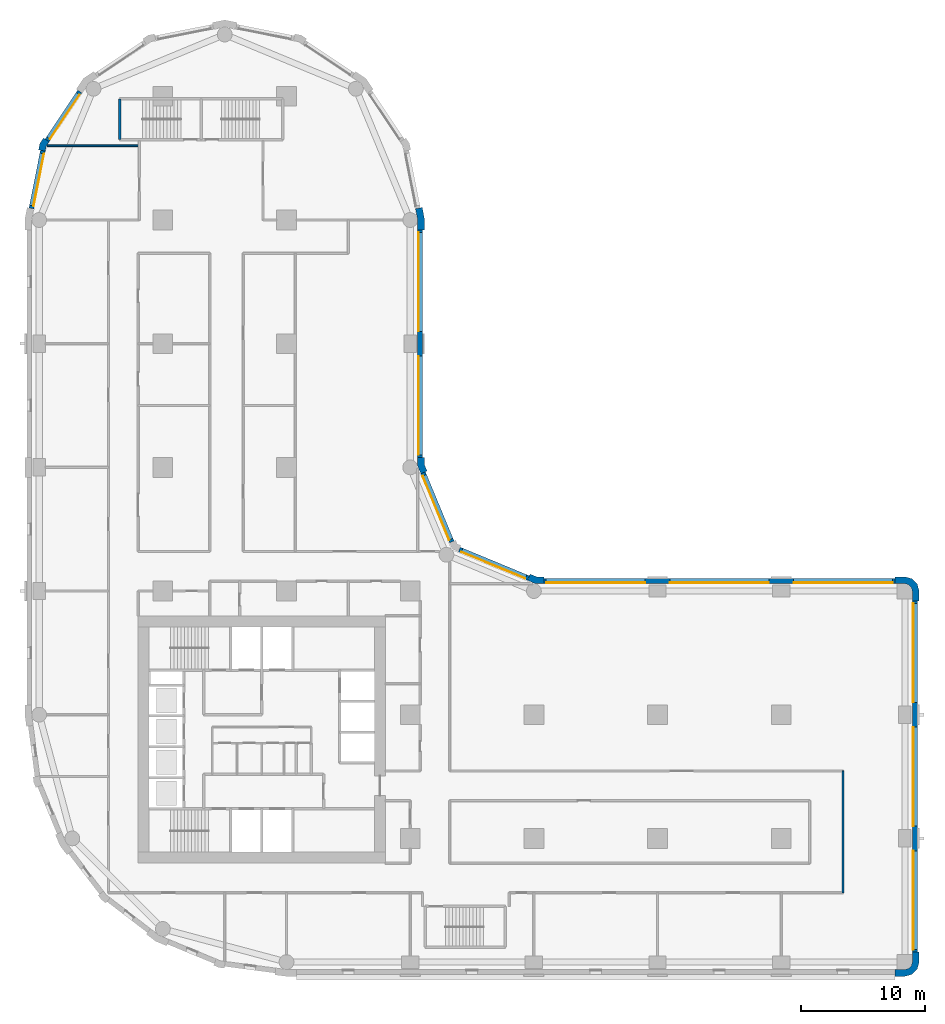
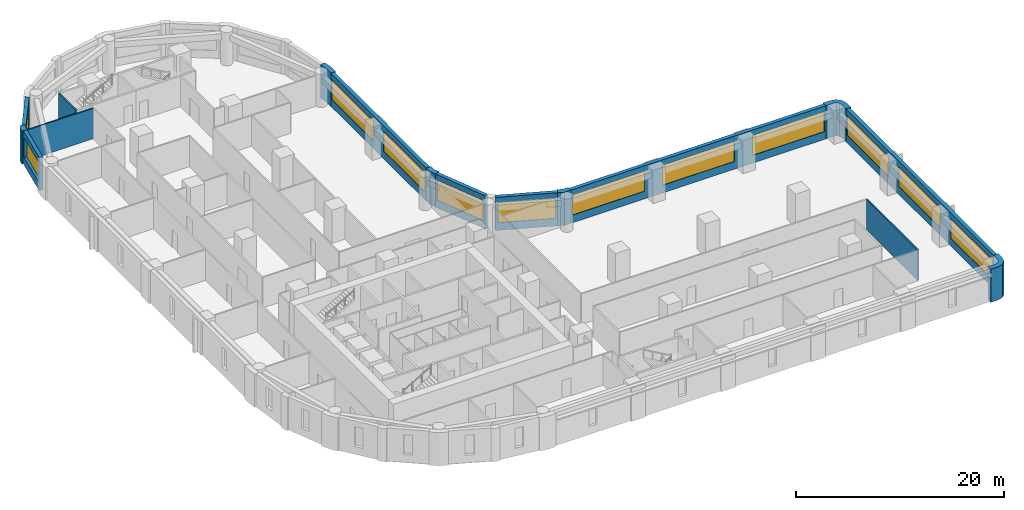
# One storey, part 6 of 10: 16 walls, 12 windows, 12 openings.
"""IFC4 building model written with IfcOpenShell, lengths in metres."""

from ifc_helpers import new_model, si_unit, direction, frame, frame_2d, origin, place, context, subcontext, project, spatial, polyline, rectangle, outline, extrude, material, layer, layer_set, type_object, element, fill, save


model = new_model("IFC4")

# Units and contexts
model_context = context("Model", 3, precision=1e-05, world=origin(), true_north=direction((0.0, 1.0)))
body_context = subcontext(model_context, "Body", "Model", "MODEL_VIEW")
ifc_project = project(units=[si_unit("LENGTHUNIT", "METRE"), si_unit("AREAUNIT", "SQUARE_METRE"), si_unit("VOLUMEUNIT", "CUBIC_METRE"), si_unit("PLANEANGLEUNIT", "RADIAN"), si_unit("MASSUNIT", "GRAM", prefix="KILO")], contexts=[model_context])

# Site, building, storey
site_placement = place(None, origin())
site = spatial("IfcSite", under=ifc_project, at=site_placement, CompositionType="ELEMENT")
building_placement = place(site_placement, origin())
building = spatial("IfcBuilding", under=site, at=building_placement, Name="Qaws Garden Tower", CompositionType="ELEMENT")
storey_placement = place(building_placement, frame((0.0, 0.0, 97.800048828125)))
storey = spatial("IfcBuildingStorey", under=building, at=storey_placement, Name="L24", CompositionType="ELEMENT", Elevation=97.800048828125)

# Walls
ifc_material_1 = material(Name="Clay facing brick masonry", Category="masonry")
ifc_layer_1 = layer(ifc_material_1, 0.550048828125)
ifc_layer_set_1 = layer_set([ifc_layer_1], Name="Clay facing brick masonry")
wall_type_1 = type_object("IfcWallType", Name="Brick corner pier 550 x 2400", PredefinedType="SOLIDWALL", material=ifc_layer_set_1)
placement = place(storey_placement, origin())
element("IfcWall", 1, at=placement, inside=storey, type_object=wall_type_1, Name="E-L24-pier-05", PredefinedType="SOLIDWALL", context=body_context, shape_type="SweptSolid", body=[
    extrude(outline(polyline([(69.199951171875, -1.0), (69.199951171875, -1.14990234375), (70.0, -1.14990234375), (70.574951171875, -0.995849609375), (70.995849609375, -0.574951171875), (71.14990234375, 0.0), (71.14990234375, 0.800048828125), (71.0, 0.800048828125), (70.60009765625, 0.800048828125), (70.60009765625, 0.0), (70.51953125, -0.300048828125), (70.300048828125, -0.51953125), (70.0, -0.60009765625), (69.199951171875, -0.60009765625), (69.199951171875, -1.0)])), origin(), (0.0, 0.0, 1.0), 3.89990234375),
])
element("IfcWall", 2, at=placement, inside=storey, type_object=wall_type_1, Name="E-L24-pier-08", PredefinedType="SOLIDWALL", context=body_context, shape_type="SweptSolid", body=[
    extrude(outline(polyline([(71.0, 29.199951171875), (71.14990234375, 29.199951171875), (71.14990234375, 30.0), (70.995849609375, 30.574951171875), (70.574951171875, 30.995849609375), (70.0, 31.14990234375), (69.199951171875, 31.14990234375), (69.199951171875, 31.0), (69.199951171875, 30.60009765625), (70.0, 30.60009765625), (70.300048828125, 30.51953125), (70.51953125, 30.300048828125), (70.60009765625, 30.0), (70.60009765625, 29.199951171875), (71.0, 29.199951171875)])), origin(), (0.0, 0.0, 1.0), 3.89990234375),
])

# Wall, openings, windows
ifc_material_2 = material(Name="Clay facing brick masonry", Category="masonry")
ifc_layer_2 = layer(ifc_material_2, 0.39990234375)
ifc_layer_set_2 = layer_set([ifc_layer_2], Name="Clay facing brick masonry")
wall_type_2 = type_object("IfcWallType", Name="Brick infill wall 400", PredefinedType="SOLIDWALL", material=ifc_layer_set_2)
wall_3_placement = place(storey_placement, frame((70.800048828125, 0.800048828125, 0.0), z_axis=(0.0, 0.0, 1.0), x_axis=(0.0, 1.0, 0.0)))
wall_3 = element("IfcWall", 3, at=wall_3_placement, inside=storey, type_object=wall_type_2, Name="E-L24-infill-05", PredefinedType="SOLIDWALL", context=body_context, shape_type="SweptSolid", body=[
    extrude(rectangle(XDim=28.39990234375, YDim=0.39990234375, at=frame_2d((14.199951171875, 0.0))), origin(), (0.0, 0.0, 1.0), 3.89990234375),
])
opening_1_placement = place(wall_3_placement, frame((0.199951171875, 0.0, 0.89990234375)))
opening_1 = element("IfcOpeningElement", 4, at=opening_1_placement, cuts=wall_3, Name="Opening W01", PredefinedType="OPENING", context=body_context, shape_type="SweptSolid", body=[
    extrude(rectangle(XDim=8.0, YDim=2.35009765625, at=frame_2d((4.0, 1.175048828125))), frame((0.0, 0.2099609375, 0.0), z_axis=(0.0, -1.0, 0.0), x_axis=(1.0, 0.0, 0.0)), (0.0, 0.0, 1.0), 0.419921875),
])
opening_2_placement = place(wall_3_placement, frame((10.199951171875, 0.0, 0.89990234375)))
opening_2 = element("IfcOpeningElement", 5, at=opening_2_placement, cuts=wall_3, Name="Opening W01", PredefinedType="OPENING", context=body_context, shape_type="SweptSolid", body=[
    extrude(rectangle(XDim=8.0, YDim=2.35009765625, at=frame_2d((4.0, 1.175048828125))), frame((0.0, 0.2099609375, 0.0), z_axis=(0.0, -1.0, 0.0), x_axis=(1.0, 0.0, 0.0)), (0.0, 0.0, 1.0), 0.419921875),
])
opening_3_placement = place(wall_3_placement, frame((20.199951171875, 0.0, 0.89990234375)))
opening_3 = element("IfcOpeningElement", 6, at=opening_3_placement, cuts=wall_3, Name="Opening W01", PredefinedType="OPENING", context=body_context, shape_type="SweptSolid", body=[
    extrude(rectangle(XDim=8.0, YDim=2.35009765625, at=frame_2d((4.0, 1.175048828125))), frame((0.0, 0.2099609375, 0.0), z_axis=(0.0, -1.0, 0.0), x_axis=(1.0, 0.0, 0.0)), (0.0, 0.0, 1.0), 0.419921875),
])
ifc_material_3 = material(Name="Aluminium framed window, clear glazing", Category="aluminium")
window_type_1 = type_object("IfcWindowType", Name="Ribbon window 8000 x 2350", PartitioningType="DOUBLE_PANEL_VERTICAL", PredefinedType="WINDOW", material=ifc_material_3)
window_1_placement = place(opening_1_placement, origin())
window_1 = element("IfcWindow", 7, at=window_1_placement, inside=storey, type_object=window_type_1, Name="E-L24-window-05-0", OverallHeight=2.35009765625, OverallWidth=8.0, PartitioningType="SINGLE_PANEL", PredefinedType="WINDOW", context=body_context, shape_type="SweptSolid", body=[
    extrude(rectangle(XDim=8.0, YDim=2.35009765625, at=frame_2d((4.0, 1.175048828125))), frame((0.0, 0.159912109375, 0.0), z_axis=(0.0, -1.0, 0.0), x_axis=(1.0, 0.0, 0.0)), (0.0, 0.0, 1.0), 0.06005859375),
])
fill(opening_1, window_1)
window_2_placement = place(opening_2_placement, origin())
window_2 = element("IfcWindow", 8, at=window_2_placement, inside=storey, type_object=window_type_1, Name="E-L24-window-06-0", OverallHeight=2.35009765625, OverallWidth=8.0, PartitioningType="SINGLE_PANEL", PredefinedType="WINDOW", context=body_context, shape_type="SweptSolid", body=[
    extrude(rectangle(XDim=8.0, YDim=2.35009765625, at=frame_2d((4.0, 1.175048828125))), frame((0.0, 0.159912109375, 0.0), z_axis=(0.0, -1.0, 0.0), x_axis=(1.0, 0.0, 0.0)), (0.0, 0.0, 1.0), 0.06005859375),
])
fill(opening_2, window_2)
window_3_placement = place(opening_3_placement, origin())
window_3 = element("IfcWindow", 9, at=window_3_placement, inside=storey, type_object=window_type_1, Name="E-L24-window-07-0", OverallHeight=2.35009765625, OverallWidth=8.0, PartitioningType="SINGLE_PANEL", PredefinedType="WINDOW", context=body_context, shape_type="SweptSolid", body=[
    extrude(rectangle(XDim=8.0, YDim=2.35009765625, at=frame_2d((4.0, 1.175048828125))), frame((0.0, 0.159912109375, 0.0), z_axis=(0.0, -1.0, 0.0), x_axis=(1.0, 0.0, 0.0)), (0.0, 0.0, 1.0), 0.06005859375),
])
fill(opening_3, window_3)

wall_4_placement = place(storey_placement, frame((69.199951171875, 30.800048828125, 0.0), z_axis=(0.0, 0.0, 1.0), x_axis=(-1.0, 0.0, 0.0)))
wall_4 = element("IfcWall", 10, at=wall_4_placement, inside=storey, type_object=wall_type_2, Name="E-L24-infill-08", PredefinedType="SOLIDWALL", context=body_context, shape_type="SweptSolid", body=[
    extrude(rectangle(XDim=28.39990234375, YDim=0.39990234375, at=frame_2d((14.199951171875, 0.0))), origin(), (0.0, 0.0, 1.0), 3.89990234375),
])
opening_4_placement = place(wall_4_placement, frame((0.199951171875, 0.0, 0.89990234375)))
opening_4 = element("IfcOpeningElement", 11, at=opening_4_placement, cuts=wall_4, Name="Opening W01", PredefinedType="OPENING", context=body_context, shape_type="SweptSolid", body=[
    extrude(rectangle(XDim=8.0, YDim=2.35009765625, at=frame_2d((4.0, 1.175048828125))), frame((0.0, 0.2099609375, 0.0), z_axis=(0.0, -1.0, 0.0), x_axis=(1.0, 0.0, 0.0)), (0.0, 0.0, 1.0), 0.419921875),
])
opening_5_placement = place(wall_4_placement, frame((10.199951171875, 0.0, 0.89990234375)))
opening_5 = element("IfcOpeningElement", 12, at=opening_5_placement, cuts=wall_4, Name="Opening W01", PredefinedType="OPENING", context=body_context, shape_type="SweptSolid", body=[
    extrude(rectangle(XDim=8.0, YDim=2.35009765625, at=frame_2d((4.0, 1.175048828125))), frame((0.0, 0.2099609375, 0.0), z_axis=(0.0, -1.0, 0.0), x_axis=(1.0, 0.0, 0.0)), (0.0, 0.0, 1.0), 0.419921875),
])
opening_6_placement = place(wall_4_placement, frame((20.199951171875, 0.0, 0.89990234375)))
opening_6 = element("IfcOpeningElement", 13, at=opening_6_placement, cuts=wall_4, Name="Opening W01", PredefinedType="OPENING", context=body_context, shape_type="SweptSolid", body=[
    extrude(rectangle(XDim=8.0, YDim=2.35009765625, at=frame_2d((4.0, 1.175048828125))), frame((0.0, 0.2099609375, 0.0), z_axis=(0.0, -1.0, 0.0), x_axis=(1.0, 0.0, 0.0)), (0.0, 0.0, 1.0), 0.419921875),
])
window_4_placement = place(opening_4_placement, origin())
window_4 = element("IfcWindow", 14, at=window_4_placement, inside=storey, type_object=window_type_1, Name="E-L24-window-08-0", OverallHeight=2.35009765625, OverallWidth=8.0, PartitioningType="SINGLE_PANEL", PredefinedType="WINDOW", context=body_context, shape_type="SweptSolid", body=[
    extrude(rectangle(XDim=8.0, YDim=2.35009765625, at=frame_2d((4.0, 1.175048828125))), frame((0.0, 0.159912109375, 0.0), z_axis=(0.0, -1.0, 0.0), x_axis=(1.0, 0.0, 0.0)), (0.0, 0.0, 1.0), 0.06005859375),
])
fill(opening_4, window_4)
window_5_placement = place(opening_5_placement, origin())
window_5 = element("IfcWindow", 15, at=window_5_placement, inside=storey, type_object=window_type_1, Name="E-L24-window-09-0", OverallHeight=2.35009765625, OverallWidth=8.0, PartitioningType="SINGLE_PANEL", PredefinedType="WINDOW", context=body_context, shape_type="SweptSolid", body=[
    extrude(rectangle(XDim=8.0, YDim=2.35009765625, at=frame_2d((4.0, 1.175048828125))), frame((0.0, 0.159912109375, 0.0), z_axis=(0.0, -1.0, 0.0), x_axis=(1.0, 0.0, 0.0)), (0.0, 0.0, 1.0), 0.06005859375),
])
fill(opening_5, window_5)
window_6_placement = place(opening_6_placement, origin())
window_6 = element("IfcWindow", 16, at=window_6_placement, inside=storey, type_object=window_type_1, Name="E-L24-window-10-0", OverallHeight=2.35009765625, OverallWidth=8.0, PartitioningType="SINGLE_PANEL", PredefinedType="WINDOW", context=body_context, shape_type="SweptSolid", body=[
    extrude(rectangle(XDim=8.0, YDim=2.35009765625, at=frame_2d((4.0, 1.175048828125))), frame((0.0, 0.159912109375, 0.0), z_axis=(0.0, -1.0, 0.0), x_axis=(1.0, 0.0, 0.0)), (0.0, 0.0, 1.0), 0.06005859375),
])
fill(opening_6, window_6)

# Wall, opening, window
wall_5_placement = place(storey_placement, frame((39.56689453125, 31.04541015625, 0.0), z_axis=(0.0, 0.0, 1.0), x_axis=(-0.923891000409, 0.382655745237, 0.0)))
wall_5 = element("IfcWall", 17, at=wall_5_placement, inside=storey, type_object=wall_type_2, Name="E-L24-infill-11", PredefinedType="SOLIDWALL", context=body_context, shape_type="SweptSolid", body=[
    extrude(rectangle(XDim=6.053466796875, YDim=0.39990234375, at=frame_2d((3.02685546875, 0.0))), origin(), (0.0, 0.0, 1.0), 3.89990234375),
])
opening_7_placement = place(wall_5_placement, frame((0.226806640625, 0.0, 0.89990234375)))
opening_7 = element("IfcOpeningElement", 18, at=opening_7_placement, cuts=wall_5, Name="Opening W04", PredefinedType="OPENING", context=body_context, shape_type="SweptSolid", body=[
    extrude(rectangle(XDim=5.60009765625, YDim=2.35009765625, at=frame_2d((2.800048828125, 1.175048828125))), frame((0.0, 0.2099609375, 0.0), z_axis=(0.0, -1.0, 0.0), x_axis=(1.0, 0.0, 0.0)), (0.0, 0.0, 1.0), 0.419921875),
])
ifc_material_4 = material(Name="Aluminium framed window, clear glazing", Category="aluminium")
window_type_2 = type_object("IfcWindowType", Name="Ribbon window 5600 x 2350", PartitioningType="DOUBLE_PANEL_VERTICAL", PredefinedType="WINDOW", material=ifc_material_4)
window_7_placement = place(opening_7_placement, origin())
window_7 = element("IfcWindow", 19, at=window_7_placement, inside=storey, type_object=window_type_2, Name="E-L24-window-11-0", OverallHeight=2.35009765625, OverallWidth=5.60009765625, PartitioningType="SINGLE_PANEL", PredefinedType="WINDOW", context=body_context, shape_type="SweptSolid", body=[
    extrude(rectangle(XDim=5.60009765625, YDim=2.35009765625, at=frame_2d((2.800048828125, 1.175048828125))), frame((0.0, 0.159912109375, 0.0), z_axis=(0.0, -1.0, 0.0), x_axis=(1.0, 0.0, 0.0)), (0.0, 0.0, 1.0), 0.06005859375),
])
fill(opening_7, window_7)

wall_6_placement = place(storey_placement, frame((33.36181640625, 33.97412109375, 0.0), z_axis=(0.0, 0.0, 1.0), x_axis=(-0.382655745237, 0.923891000409, 0.0)))
wall_6 = element("IfcWall", 20, at=wall_6_placement, inside=storey, type_object=wall_type_2, Name="E-L24-infill-12", PredefinedType="SOLIDWALL", context=body_context, shape_type="SweptSolid", body=[
    extrude(rectangle(XDim=6.053466796875, YDim=0.39990234375, at=frame_2d((3.02685546875, 0.0))), origin(), (0.0, 0.0, 1.0), 3.89990234375),
])
opening_8_placement = place(wall_6_placement, frame((0.226806640625, 0.0, 0.89990234375)))
opening_8 = element("IfcOpeningElement", 21, at=opening_8_placement, cuts=wall_6, Name="Opening W04", PredefinedType="OPENING", context=body_context, shape_type="SweptSolid", body=[
    extrude(rectangle(XDim=5.60009765625, YDim=2.35009765625, at=frame_2d((2.800048828125, 1.175048828125))), frame((0.0, 0.2099609375, 0.0), z_axis=(0.0, -1.0, 0.0), x_axis=(1.0, 0.0, 0.0)), (0.0, 0.0, 1.0), 0.419921875),
])
window_8_placement = place(opening_8_placement, origin())
window_8 = element("IfcWindow", 22, at=window_8_placement, inside=storey, type_object=window_type_2, Name="E-L24-window-12-0", OverallHeight=2.35009765625, OverallWidth=5.60009765625, PartitioningType="SINGLE_PANEL", PredefinedType="WINDOW", context=body_context, shape_type="SweptSolid", body=[
    extrude(rectangle(XDim=5.60009765625, YDim=2.35009765625, at=frame_2d((2.800048828125, 1.175048828125))), frame((0.0, 0.159912109375, 0.0), z_axis=(0.0, -1.0, 0.0), x_axis=(1.0, 0.0, 0.0)), (0.0, 0.0, 1.0), 0.06005859375),
])
fill(opening_8, window_8)

# Wall, openings, windows
wall_7_placement = place(storey_placement, frame((30.800048828125, 40.800048828125, 0.0), z_axis=(0.0, 0.0, 1.0), x_axis=(0.0, 1.0, 0.0)))
wall_7 = element("IfcWall", 23, at=wall_7_placement, inside=storey, type_object=wall_type_2, Name="E-L24-infill-13", PredefinedType="SOLIDWALL", context=body_context, shape_type="SweptSolid", body=[
    extrude(rectangle(XDim=18.39990234375, YDim=0.39990234375, at=frame_2d((9.199951171875, 0.0))), origin(), (0.0, 0.0, 1.0), 3.89990234375),
])
opening_9_placement = place(wall_7_placement, frame((0.199951171875, 0.0, 0.89990234375)))
opening_9 = element("IfcOpeningElement", 24, at=opening_9_placement, cuts=wall_7, Name="Opening W01", PredefinedType="OPENING", context=body_context, shape_type="SweptSolid", body=[
    extrude(rectangle(XDim=8.0, YDim=2.35009765625, at=frame_2d((4.0, 1.175048828125))), frame((0.0, 0.2099609375, 0.0), z_axis=(0.0, -1.0, 0.0), x_axis=(1.0, 0.0, 0.0)), (0.0, 0.0, 1.0), 0.419921875),
])
opening_10_placement = place(wall_7_placement, frame((10.199951171875, 0.0, 0.89990234375)))
opening_10 = element("IfcOpeningElement", 25, at=opening_10_placement, cuts=wall_7, Name="Opening W01", PredefinedType="OPENING", context=body_context, shape_type="SweptSolid", body=[
    extrude(rectangle(XDim=8.0, YDim=2.35009765625, at=frame_2d((4.0, 1.175048828125))), frame((0.0, 0.2099609375, 0.0), z_axis=(0.0, -1.0, 0.0), x_axis=(1.0, 0.0, 0.0)), (0.0, 0.0, 1.0), 0.419921875),
])
window_9_placement = place(opening_9_placement, origin())
window_9 = element("IfcWindow", 26, at=window_9_placement, inside=storey, type_object=window_type_1, Name="E-L24-window-13-0", OverallHeight=2.35009765625, OverallWidth=8.0, PartitioningType="SINGLE_PANEL", PredefinedType="WINDOW", context=body_context, shape_type="SweptSolid", body=[
    extrude(rectangle(XDim=8.0, YDim=2.35009765625, at=frame_2d((4.0, 1.175048828125))), frame((0.0, 0.159912109375, 0.0), z_axis=(0.0, -1.0, 0.0), x_axis=(1.0, 0.0, 0.0)), (0.0, 0.0, 1.0), 0.06005859375),
])
fill(opening_9, window_9)
window_10_placement = place(opening_10_placement, origin())
window_10 = element("IfcWindow", 27, at=window_10_placement, inside=storey, type_object=window_type_1, Name="E-L24-window-14-0", OverallHeight=2.35009765625, OverallWidth=8.0, PartitioningType="SINGLE_PANEL", PredefinedType="WINDOW", context=body_context, shape_type="SweptSolid", body=[
    extrude(rectangle(XDim=8.0, YDim=2.35009765625, at=frame_2d((4.0, 1.175048828125))), frame((0.0, 0.159912109375, 0.0), z_axis=(0.0, -1.0, 0.0), x_axis=(1.0, 0.0, 0.0)), (0.0, 0.0, 1.0), 0.06005859375),
])
fill(opening_10, window_10)

# Wall, opening, window
wall_8_placement = place(storey_placement, frame((3.28369140625, 70.385986328125, 0.0), z_axis=(0.0, 0.0, 1.0), x_axis=(-0.555541552266, -0.831488775454, 0.0)))
wall_8 = element("IfcWall", 28, at=wall_8_placement, inside=storey, type_object=wall_type_2, Name="E-L24-infill-21", PredefinedType="SOLIDWALL", context=body_context, shape_type="SweptSolid", body=[
    extrude(rectangle(XDim=4.752685546875, YDim=0.39990234375, at=frame_2d((2.37646484375, 0.0))), origin(), (0.0, 0.0, 1.0), 3.89990234375),
])
opening_11_placement = place(wall_8_placement, frame((0.226318359375, 0.0, 0.89990234375)))
opening_11 = element("IfcOpeningElement", 29, at=opening_11_placement, cuts=wall_8, Name="Opening W06", PredefinedType="OPENING", context=body_context, shape_type="SweptSolid", body=[
    extrude(rectangle(XDim=4.300048828125, YDim=2.35009765625, at=frame_2d((2.14990234375, 1.175048828125))), frame((0.0, 0.2099609375, 0.0), z_axis=(0.0, -1.0, 0.0), x_axis=(1.0, 0.0, 0.0)), (0.0, 0.0, 1.0), 0.419921875),
])
ifc_material_5 = material(Name="Aluminium framed window, clear glazing", Category="aluminium")
window_type_3 = type_object("IfcWindowType", Name="Ribbon window 4300 x 2350", PartitioningType="DOUBLE_PANEL_VERTICAL", PredefinedType="WINDOW", material=ifc_material_5)
window_11_placement = place(opening_11_placement, origin())
window_11 = element("IfcWindow", 30, at=window_11_placement, inside=storey, type_object=window_type_3, Name="E-L24-window-21-0", OverallHeight=2.35009765625, OverallWidth=4.300048828125, PartitioningType="SINGLE_PANEL", PredefinedType="WINDOW", context=body_context, shape_type="SweptSolid", body=[
    extrude(rectangle(XDim=4.300048828125, YDim=2.35009765625, at=frame_2d((2.14990234375, 1.175048828125))), frame((0.0, 0.159912109375, 0.0), z_axis=(0.0, -1.0, 0.0), x_axis=(1.0, 0.0, 0.0)), (0.0, 0.0, 1.0), 0.06005859375),
])
fill(opening_11, window_11)

wall_9_placement = place(storey_placement, frame((0.298583984375, 65.60205078125, 0.0), z_axis=(0.0, 0.0, 1.0), x_axis=(-0.195098533057, -0.98078364709, 0.0)))
wall_9 = element("IfcWall", 31, at=wall_9_placement, inside=storey, type_object=wall_type_2, Name="E-L24-infill-22", PredefinedType="SOLIDWALL", context=body_context, shape_type="SweptSolid", body=[
    extrude(rectangle(XDim=4.752685546875, YDim=0.39990234375, at=frame_2d((2.37646484375, 0.0))), origin(), (0.0, 0.0, 1.0), 3.89990234375),
])
opening_12_placement = place(wall_9_placement, frame((0.226318359375, 0.0, 0.89990234375)))
opening_12 = element("IfcOpeningElement", 32, at=opening_12_placement, cuts=wall_9, Name="Opening W06", PredefinedType="OPENING", context=body_context, shape_type="SweptSolid", body=[
    extrude(rectangle(XDim=4.300048828125, YDim=2.35009765625, at=frame_2d((2.14990234375, 1.175048828125))), frame((0.0, 0.2099609375, 0.0), z_axis=(0.0, -1.0, 0.0), x_axis=(1.0, 0.0, 0.0)), (0.0, 0.0, 1.0), 0.419921875),
])
window_12_placement = place(opening_12_placement, origin())
window_12 = element("IfcWindow", 33, at=window_12_placement, inside=storey, type_object=window_type_3, Name="E-L24-window-22-0", OverallHeight=2.35009765625, OverallWidth=4.300048828125, PartitioningType="SINGLE_PANEL", PredefinedType="WINDOW", context=body_context, shape_type="SweptSolid", body=[
    extrude(rectangle(XDim=4.300048828125, YDim=2.35009765625, at=frame_2d((2.14990234375, 1.175048828125))), frame((0.0, 0.159912109375, 0.0), z_axis=(0.0, -1.0, 0.0), x_axis=(1.0, 0.0, 0.0)), (0.0, 0.0, 1.0), 0.06005859375),
])
fill(opening_12, window_12)

# Walls
ifc_material_6 = material(Name="Clay facing brick masonry", Category="masonry")
ifc_layer_3 = layer(ifc_material_6, 0.550048828125)
ifc_layer_set_3 = layer_set([ifc_layer_3], Name="Clay facing brick masonry")
wall_type_3 = type_object("IfcWallType", Name="Brick kink pier 550 x 600", PredefinedType="SOLIDWALL", material=ifc_layer_set_3)
element("IfcWall", 34, at=placement, inside=storey, type_object=wall_type_3, Name="E-L24-pier-22", PredefinedType="SOLIDWALL", context=body_context, shape_type="SweptSolid", body=[
    extrude(outline(polyline([(0.47705078125, 66.545166015625), (0.352294921875, 66.628662109375), (0.05859375, 66.18896484375), (-0.044677734375, 65.67041015625), (0.1025390625, 65.64111328125), (0.494873046875, 65.56298828125), (0.57666015625, 65.974365234375), (0.8095703125, 66.322998046875), (0.47705078125, 66.545166015625)])), origin(), (0.0, 0.0, 1.0), 3.89990234375),
])
ifc_material_7 = material(Name="Clay facing brick masonry", Category="masonry")
ifc_layer_4 = layer(ifc_material_7, 0.550048828125)
ifc_layer_set_4 = layer_set([ifc_layer_4], Name="Clay facing brick masonry")
wall_type_4 = type_object("IfcWallType", Name="Brick pier 550 x 1600", PredefinedType="SOLIDWALL", material=ifc_layer_set_4)
element("IfcWall", 35, at=placement, inside=storey, type_object=wall_type_4, Name="E-L24-pier-11", PredefinedType="SOLIDWALL", context=body_context, shape_type="SweptSolid", body=[
    extrude(outline(polyline([(40.800048828125, 31.0), (40.800048828125, 31.14990234375), (40.228759765625, 31.14990234375), (39.700927734375, 31.36865234375), (39.6435546875, 31.22998046875), (39.490478515625, 30.860595703125), (40.119384765625, 30.60009765625), (40.800048828125, 30.60009765625), (40.800048828125, 31.0)])), origin(), (0.0, 0.0, 1.0), 3.89990234375),
])
element("IfcWall", 36, at=placement, inside=storey, type_object=wall_type_4, Name="E-L24-pier-13", PredefinedType="SOLIDWALL", context=body_context, shape_type="SweptSolid", body=[
    extrude(outline(polyline([(31.22998046875, 39.6435546875), (31.36865234375, 39.700927734375), (31.14990234375, 40.228759765625), (31.14990234375, 40.800048828125), (31.0, 40.800048828125), (30.60009765625, 40.800048828125), (30.60009765625, 40.119384765625), (30.860595703125, 39.490478515625), (31.22998046875, 39.6435546875)])), origin(), (0.0, 0.0, 1.0), 3.89990234375),
])
element("IfcWall", 37, at=placement, inside=storey, type_object=wall_type_4, Name="E-L24-pier-15", PredefinedType="SOLIDWALL", context=body_context, shape_type="SweptSolid", body=[
    extrude(outline(polyline([(31.0, 59.199951171875), (31.14990234375, 59.199951171875), (31.14990234375, 60.11328125), (30.971923828125, 61.009033203125), (30.82470703125, 60.979736328125), (30.432373046875, 60.901611328125), (30.60009765625, 60.05908203125), (30.60009765625, 59.199951171875), (31.0, 59.199951171875)])), origin(), (0.0, 0.0, 1.0), 3.89990234375),
])
ifc_material_8 = material(Name="Concrete C80", Category="concrete")
ifc_layer_5 = layer(ifc_material_8, 0.199951171875)
ifc_layer_set_5 = layer_set([ifc_layer_5], Name="Concrete C80")
wall_type_5 = type_object("IfcWallType", Name="Core shaft wall 200 C80", PredefinedType="SHEAR", material=ifc_layer_set_5)
wall_14_placement = place(storey_placement, frame((6.5, 66.5, 0.0), z_axis=(0.0, 0.0, 1.0), x_axis=(0.0, 1.0, 0.0)))
element("IfcWall", 38, at=wall_14_placement, inside=storey, type_object=wall_type_5, Name="Shaft wall", PredefinedType="SHEAR", context=body_context, shape_type="SweptSolid", body=[
    extrude(rectangle(XDim=3.300048828125, YDim=0.199951171875, at=frame_2d((1.64990234375, 0.0))), origin(), (0.0, 0.0, 1.0), 3.579833984375),
])
ifc_material_9 = material(Name="Gypsum board partition")
ifc_layer_6 = layer(ifc_material_9, 0.14990234375)
ifc_layer_set_6 = layer_set([ifc_layer_6], Name="Gypsum board partition")
wall_type_6 = type_object("IfcWallType", Name="PARTITION 150 EI 60", PredefinedType="PARTITIONING", material=ifc_layer_set_6)
wall_15_placement = place(storey_placement, frame((65.0, 5.60009765625, 0.0), z_axis=(0.0, 0.0, 1.0), x_axis=(0.0, 1.0, 0.0)))
element("IfcWall", 39, at=wall_15_placement, inside=storey, type_object=wall_type_6, Name="O-L24-wall-030", PredefinedType="PARTITIONING", context=body_context, shape_type="SweptSolid", body=[
    extrude(rectangle(XDim=9.849853515625, YDim=0.14990234375, at=frame_2d((4.9248046875, 0.0))), origin(), (0.0, 0.0, 1.0), 3.579833984375),
])
wall_16_placement = place(storey_placement, frame((0.643798828125, 66.0, 0.0), z_axis=(0.0, 0.0, 1.0), x_axis=(1.0, 0.0, 0.0)))
element("IfcWall", 40, at=wall_16_placement, inside=storey, type_object=wall_type_6, Name="O-L24-wall-062", PredefinedType="PARTITIONING", context=body_context, shape_type="SweptSolid", body=[
    extrude(rectangle(XDim=7.456298828125, YDim=0.14990234375, at=frame_2d((3.72802734375, 0.0))), origin(), (0.0, 0.0, 1.0), 3.579833984375),
])

save(model, "model.ifc")
